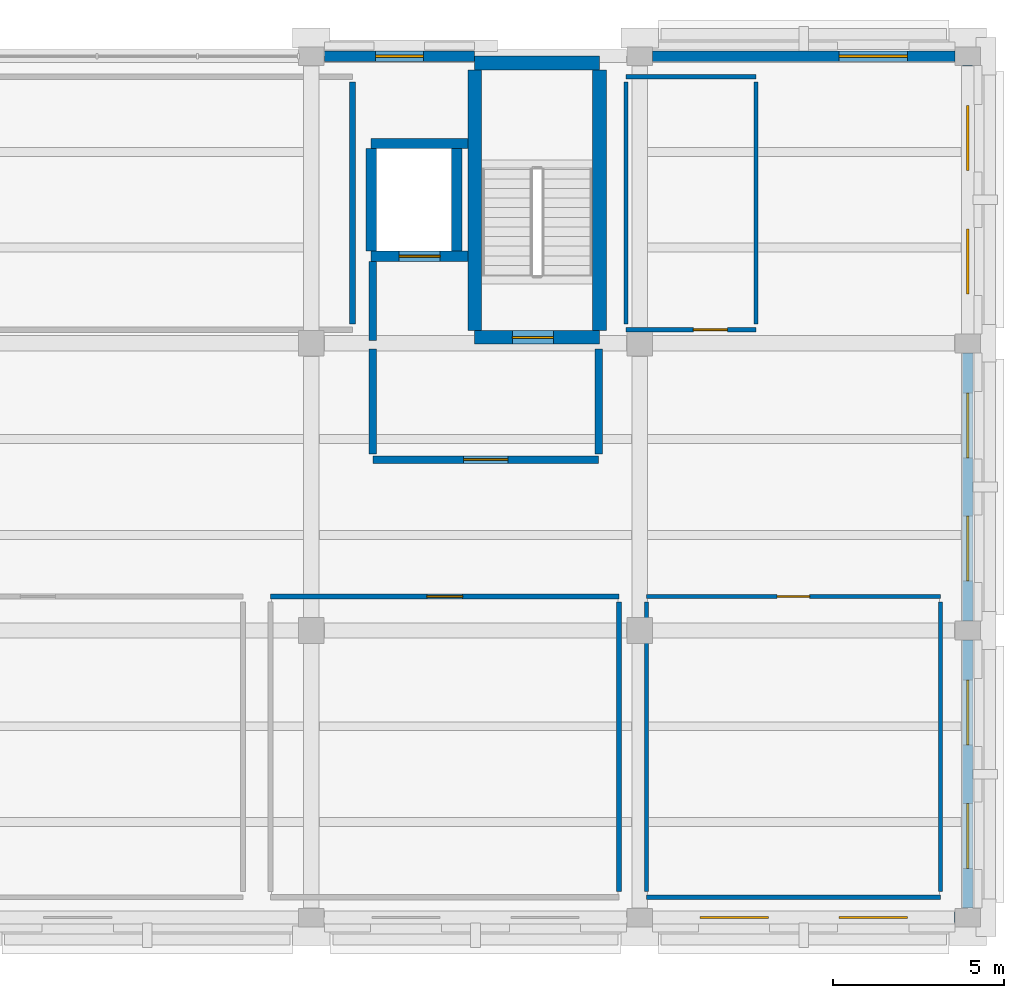
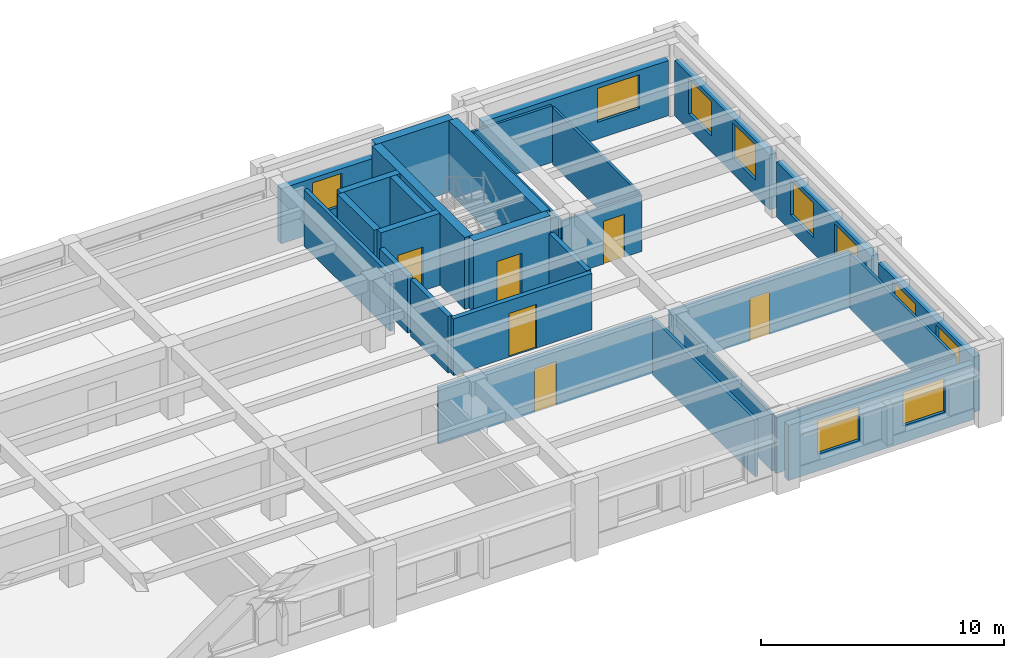
# One storey, part 7 of 11: 29 walls, 10 windows, 6 doors, 16 openings.
"""IFC4 building model written with IfcOpenShell, lengths in metres."""

from ifc_helpers import new_model, si_unit, direction, frame, frame_2d, origin, place, context, subcontext, project, spatial, rectangle, extrude, material, layer, layer_set, type_object, element, fill, save


model = new_model("IFC4")

# Units and contexts
model_context = context("Model", 3, precision=1e-05, world=origin(), true_north=direction((0.0, 1.0)))
body_context = subcontext(model_context, "Body", "Model", "MODEL_VIEW")
ifc_project = project(units=[si_unit("LENGTHUNIT", "METRE"), si_unit("AREAUNIT", "SQUARE_METRE"), si_unit("VOLUMEUNIT", "CUBIC_METRE"), si_unit("PLANEANGLEUNIT", "RADIAN"), si_unit("MASSUNIT", "GRAM", prefix="KILO")], contexts=[model_context])

# Site, building, storey
site_placement = place(None, origin())
site = spatial("IfcSite", under=ifc_project, at=site_placement, CompositionType="ELEMENT")
building_placement = place(site_placement, origin())
building = spatial("IfcBuilding", under=site, at=building_placement, Name="Bempovik Park Faculty of Sciences", CompositionType="ELEMENT")
storey_placement = place(building_placement, frame((0.0, 0.0, 30.60009765625)))
storey = spatial("IfcBuildingStorey", under=building, at=storey_placement, Name="L07", CompositionType="ELEMENT", Elevation=30.60009765625)

# Wall
ifc_material_1 = material(Name="Gypsum acoustic stud assembly")
ifc_layer_1 = layer(ifc_material_1, 0.1201171875)
ifc_layer_set_1 = layer_set([ifc_layer_1], Name="Gypsum acoustic stud assembly")
wall_type_1 = type_object("IfcWallType", Name="W-17 Wall 120mm", PredefinedType="PARTITIONING", material=ifc_layer_set_1)
wall_1_placement = place(storey_placement, frame((108.199951171875, 94.800048828125, 0.0), z_axis=(0.0, 0.0, 1.0), x_axis=(1.0, 0.0, 0.0)))
element("IfcWall", 1, at=wall_1_placement, inside=storey, type_object=wall_type_1, Name="L07 Computational Science Staff Offices Partition South", PredefinedType="PARTITIONING", context=body_context, shape_type="SweptSolid", body=[
    extrude(rectangle(XDim=8.60009765625, YDim=0.1201171875, at=frame_2d((4.300048828125, 0.0))), origin(), (0.0, 0.0, 1.0), 2.849853515625),
])

# Wall, opening, door
wall_2_placement = place(storey_placement, frame((108.199951171875, 103.60009765625, 0.0), z_axis=(0.0, 0.0, 1.0), x_axis=(1.0, 0.0, 0.0)))
wall_2 = element("IfcWall", 2, at=wall_2_placement, inside=storey, type_object=wall_type_1, Name="L07 Computational Science Staff Offices Partition North", PredefinedType="PARTITIONING", context=body_context, shape_type="SweptSolid", body=[
    extrude(rectangle(XDim=8.60009765625, YDim=0.1201171875, at=frame_2d((4.300048828125, 0.0))), origin(), (0.0, 0.0, 1.0), 2.849853515625),
])
opening_1_placement = place(wall_2_placement, frame((3.824951171875, 0.0, 0.0)))
opening_1 = element("IfcOpeningElement", 3, at=opening_1_placement, cuts=wall_2, Name="Opening D-47", PredefinedType="OPENING", context=body_context, shape_type="SweptSolid", body=[
    extrude(rectangle(XDim=0.949951171875, YDim=2.14990234375, at=frame_2d((0.47509765625, 1.074951171875))), frame((0.0, 0.070068359375, 0.0), z_axis=(0.0, -1.0, 0.0), x_axis=(1.0, 0.0, 0.0)), (0.0, 0.0, 1.0), 0.14013671875),
])
ifc_material_2 = material(Name="West African hardwood finish", Category="wood")
door_type_1 = type_object("IfcDoorType", Name="D-47 Door 950x2150", OperationType="NOTDEFINED", PredefinedType="DOOR", material=ifc_material_2)
door_1_placement = place(opening_1_placement, origin())
door_1 = element("IfcDoor", 4, at=door_1_placement, inside=storey, type_object=door_type_1, Name="L07 Computational Science Staff Offices Door", OperationType="SINGLE_SWING_RIGHT", OverallHeight=2.14990234375, OverallWidth=0.949951171875, PredefinedType="DOOR", context=body_context, shape_type="SweptSolid", body=[
    extrude(rectangle(XDim=0.949951171875, YDim=2.14990234375, at=frame_2d((0.47509765625, 1.074951171875))), frame((0.0, 0.02490234375, 0.0), z_axis=(0.0, -1.0, 0.0), x_axis=(1.0, 0.0, 0.0)), (0.0, 0.0, 1.0), 0.050048828125),
])
fill(opening_1, door_1)

# Walls
for number, where, z_axis, x_axis, name in (
    (5, (108.199951171875, 94.9599609375, 0.0), (0.0, 0.0, 1.0), (0.0, 1.0, 0.0), "L07 Computational Science Staff Offices Partition West"),
    (6, (116.800048828125, 94.9599609375, 0.0), (0.0, 0.0, 1.0), (0.0, 1.0, 0.0), "L07 Computational Science Staff Offices Partition East"),
):
    element("IfcWall", number, at=place(storey_placement, frame(where, z_axis=z_axis, x_axis=x_axis)), inside=storey, type_object=wall_type_1, Name=name, PredefinedType="PARTITIONING", context=body_context, shape_type="SweptSolid", body=[
        extrude(rectangle(XDim=8.47998046875, YDim=0.1201171875, at=frame_2d((4.239990234375, 0.0))), origin(), (0.0, 0.0, 1.0), 2.849853515625),
    ])

# Wall, opening, door
wall_3_placement = place(storey_placement, frame((107.60009765625, 111.39990234375, 0.0), z_axis=(0.0, 0.0, 1.0), x_axis=(1.0, 0.0, 0.0)))
wall_3 = element("IfcWall", 7, at=wall_3_placement, inside=storey, type_object=wall_type_1, Name="L07 L07 Accessible WC Partition South", PredefinedType="PARTITIONING", context=body_context, shape_type="SweptSolid", body=[
    extrude(rectangle(XDim=3.7998046875, YDim=0.1201171875, at=frame_2d((1.89990234375, 0.0))), origin(), (0.0, 0.0, 1.0), 2.849853515625),
])
opening_2_placement = place(wall_3_placement, frame((1.969970703125, 0.0, 0.0)))
opening_2 = element("IfcOpeningElement", 8, at=opening_2_placement, cuts=wall_3, Name="Opening D-50", PredefinedType="OPENING", context=body_context, shape_type="SweptSolid", body=[
    extrude(rectangle(XDim=1.0, YDim=2.14990234375, at=frame_2d((0.5, 1.074951171875))), frame((0.0, 0.070068359375, 0.0), z_axis=(0.0, -1.0, 0.0), x_axis=(1.0, 0.0, 0.0)), (0.0, 0.0, 1.0), 0.14013671875),
])
door_type_2 = type_object("IfcDoorType", Name="D-50 Door 1000x2150", OperationType="NOTDEFINED", PredefinedType="DOOR", material=ifc_material_2)
door_2_placement = place(opening_2_placement, origin())
door_2 = element("IfcDoor", 9, at=door_2_placement, inside=storey, type_object=door_type_2, Name="L07 L07 Accessible WC Door", OperationType="SINGLE_SWING_RIGHT", OverallHeight=2.14990234375, OverallWidth=1.0, PredefinedType="DOOR", context=body_context, shape_type="SweptSolid", body=[
    extrude(rectangle(XDim=1.0, YDim=2.14990234375, at=frame_2d((0.5, 1.074951171875))), frame((0.0, 0.02490234375, 0.0), z_axis=(0.0, -1.0, 0.0), x_axis=(1.0, 0.0, 0.0)), (0.0, 0.0, 1.0), 0.050048828125),
])
fill(opening_2, door_2)

# Walls
wall_4_placement = place(storey_placement, frame((107.60009765625, 118.800048828125, 0.0), z_axis=(0.0, 0.0, 1.0), x_axis=(1.0, 0.0, 0.0)))
element("IfcWall", 10, at=wall_4_placement, inside=storey, type_object=wall_type_1, Name="L07 L07 Accessible WC Partition North", PredefinedType="PARTITIONING", context=body_context, shape_type="SweptSolid", body=[
    extrude(rectangle(XDim=3.7998046875, YDim=0.1201171875, at=frame_2d((1.89990234375, 0.0))), origin(), (0.0, 0.0, 1.0), 2.849853515625),
])
for number, where, z_axis, x_axis, name in (
    (11, (107.60009765625, 111.56005859375, 0.0), (0.0, 0.0, 1.0), (0.0, 1.0, 0.0), "L07 L07 Accessible WC Partition West"),
    (12, (111.39990234375, 111.56005859375, 0.0), (0.0, 0.0, 1.0), (0.0, 1.0, 0.0), "L07 L07 Accessible WC Partition East"),
):
    element("IfcWall", number, at=place(storey_placement, frame(where, z_axis=z_axis, x_axis=x_axis)), inside=storey, type_object=wall_type_1, Name=name, PredefinedType="PARTITIONING", context=body_context, shape_type="SweptSolid", body=[
        extrude(rectangle(XDim=7.079833984375, YDim=0.1201171875, at=frame_2d((3.5400390625, 0.0))), origin(), (0.0, 0.0, 1.0), 2.849853515625),
    ])

# Wall, opening, door
ifc_material_3 = material(Name="Concrete C40/50", Category="concrete")
ifc_layer_2 = layer(ifc_material_3, 0.300048828125)
ifc_layer_set_2 = layer_set([ifc_layer_2], Name="Concrete C40/50")
wall_type_2 = type_object("IfcWallType", Name="W-31 Wall 300mm", PredefinedType="SHEAR", material=ifc_layer_set_2)
wall_5_placement = place(storey_placement, frame((100.14990234375, 113.550048828125, 0.0), z_axis=(0.0, 0.0, 1.0), x_axis=(1.0, 0.0, 0.0)))
wall_5 = element("IfcWall", 13, at=wall_5_placement, inside=storey, type_object=wall_type_2, Name="Lift LF-2 L07 Shaft Wall South", PredefinedType="SHEAR", context=body_context, shape_type="SweptSolid", body=[
    extrude(rectangle(XDim=2.8251953125, YDim=0.300048828125, at=frame_2d((1.41259765625, 0.0))), origin(), (0.0, 0.0, 1.0), 3.619873046875),
])
opening_3_placement = place(wall_5_placement, frame((0.8125, 0.0, 0.0)))
opening_3 = element("IfcOpeningElement", 14, at=opening_3_placement, cuts=wall_5, Name="Opening LD-01", PredefinedType="OPENING", context=body_context, shape_type="SweptSolid", body=[
    extrude(rectangle(XDim=1.199951171875, YDim=2.199951171875, at=frame_2d((0.60009765625, 1.10009765625))), frame((0.0, 0.16015625, 0.0), z_axis=(0.0, -1.0, 0.0), x_axis=(1.0, 0.0, 0.0)), (0.0, 0.0, 1.0), 0.320068359375),
])
ifc_material_4 = material(Name="Painted steel S355", Category="steel")
door_type_3 = type_object("IfcDoorType", Name="LD-01 Door 1200x2200", OperationType="NOTDEFINED", PredefinedType="DOOR", material=ifc_material_4)
door_3_placement = place(opening_3_placement, origin())
door_3 = element("IfcDoor", 15, at=door_3_placement, inside=storey, type_object=door_type_3, Name="Lift LF-2 L07 Sliding Landing Door", OperationType="SLIDING_TO_LEFT", OverallHeight=2.199951171875, OverallWidth=1.199951171875, PredefinedType="DOOR", context=body_context, shape_type="SweptSolid", body=[
    extrude(rectangle(XDim=1.199951171875, YDim=2.199951171875, at=frame_2d((0.60009765625, 1.10009765625))), frame((0.0, 0.02490234375, 0.0), z_axis=(0.0, -1.0, 0.0), x_axis=(1.0, 0.0, 0.0)), (0.0, 0.0, 1.0), 0.050048828125),
])
fill(opening_3, door_3)

# Walls
wall_6_placement = place(storey_placement, frame((100.14990234375, 116.85009765625, 0.0), z_axis=(0.0, 0.0, 1.0), x_axis=(1.0, 0.0, 0.0)))
element("IfcWall", 16, at=wall_6_placement, inside=storey, type_object=wall_type_2, Name="Lift LF-2 L07 Shaft Wall North", PredefinedType="SHEAR", context=body_context, shape_type="SweptSolid", body=[
    extrude(rectangle(XDim=2.8251953125, YDim=0.300048828125, at=frame_2d((1.41259765625, 0.0))), origin(), (0.0, 0.0, 1.0), 3.619873046875),
])
for number, where, z_axis, x_axis, name in (
    (17, (100.14990234375, 113.699951171875, 0.0), (0.0, 0.0, 1.0), (0.0, 1.0, 0.0), "Lift LF-2 L07 Shaft Wall West"),
    (18, (102.64990234375, 113.699951171875, 0.0), (0.0, 0.0, 1.0), (0.0, 1.0, 0.0), "Lift LF-2 L07 Shaft Wall East"),
):
    element("IfcWall", number, at=place(storey_placement, frame(where, z_axis=z_axis, x_axis=x_axis)), inside=storey, type_object=wall_type_2, Name=name, PredefinedType="SHEAR", context=body_context, shape_type="SweptSolid", body=[
        extrude(rectangle(XDim=3.0, YDim=0.300048828125, at=frame_2d((1.5, 0.0))), origin(), (0.0, 0.0, 1.0), 3.619873046875),
    ])

# Wall, opening, door
ifc_material_5 = material(Name="Concrete C35/45", Category="concrete")
ifc_layer_3 = layer(ifc_material_5, 0.219970703125)
ifc_layer_set_3 = layer_set([ifc_layer_3], Name="Concrete C35/45")
wall_type_3 = type_object("IfcWallType", Name="W-38 Wall 220mm", PredefinedType="PARTITIONING", material=ifc_layer_set_3)
wall_7_placement = place(storey_placement, frame((100.199951171875, 107.60009765625, 0.0), z_axis=(0.0, 0.0, 1.0), x_axis=(1.0, 0.0, 0.0)))
wall_7 = element("IfcWall", 19, at=wall_7_placement, inside=storey, type_object=wall_type_3, Name="L07 Firefighting Lift Lobby East Partition South", PredefinedType="PARTITIONING", context=body_context, shape_type="SweptSolid", body=[
    extrude(rectangle(XDim=6.60009765625, YDim=0.219970703125, at=frame_2d((3.300048828125, 0.0))), origin(), (0.0, 0.0, 1.0), 2.849853515625),
])
opening_4_placement = place(wall_7_placement, frame((2.64990234375, 0.0, 0.0)))
opening_4 = element("IfcOpeningElement", 20, at=opening_4_placement, cuts=wall_7, Name="Opening D-38", PredefinedType="OPENING", context=body_context, shape_type="SweptSolid", body=[
    extrude(rectangle(XDim=1.300048828125, YDim=2.199951171875, at=frame_2d((0.64990234375, 1.10009765625))), frame((0.0, 0.1201171875, 0.0), z_axis=(0.0, -1.0, 0.0), x_axis=(1.0, 0.0, 0.0)), (0.0, 0.0, 1.0), 0.239990234375),
])
door_type_4 = type_object("IfcDoorType", Name="D-38 Door 1300x2200", OperationType="NOTDEFINED", PredefinedType="DOOR", material=ifc_material_4)
door_4_placement = place(opening_4_placement, origin())
door_4 = element("IfcDoor", 21, at=door_4_placement, inside=storey, type_object=door_type_4, Name="L07 Firefighting Lift Lobby East Door", OperationType="SINGLE_SWING_LEFT", OverallHeight=2.199951171875, OverallWidth=1.300048828125, PredefinedType="DOOR", context=body_context, shape_type="SweptSolid", body=[
    extrude(rectangle(XDim=1.300048828125, YDim=2.199951171875, at=frame_2d((0.64990234375, 1.10009765625))), frame((0.0, 0.02490234375, 0.0), z_axis=(0.0, -1.0, 0.0), x_axis=(1.0, 0.0, 0.0)), (0.0, 0.0, 1.0), 0.050048828125),
])
fill(opening_4, door_4)

# Walls
wall_8_placement = place(storey_placement, frame((100.199951171875, 111.080078125, 0.0), z_axis=(0.0, 0.0, 1.0), x_axis=(0.0, 1.0, 0.0)))
element("IfcWall", 22, at=wall_8_placement, inside=storey, type_object=wall_type_3, Name="L07 Firefighting Lobby East Lift Link Wall", PredefinedType="PARTITIONING", context=body_context, shape_type="SweptSolid", body=[
    extrude(rectangle(XDim=2.31982421875, YDim=0.219970703125, at=frame_2d((1.159912109375, 0.0))), origin(), (0.0, 0.0, 1.0), 2.849853515625),
])
for number, where, z_axis, x_axis, name in (
    (23, (100.199951171875, 107.760009765625, 0.0), (0.0, 0.0, 1.0), (0.0, 1.0, 0.0), "L07 Firefighting Lift Lobby East Partition West"),
    (24, (106.800048828125, 107.760009765625, 0.0), (0.0, 0.0, 1.0), (0.0, 1.0, 0.0), "L07 Firefighting Lift Lobby East Partition East"),
):
    element("IfcWall", number, at=place(storey_placement, frame(where, z_axis=z_axis, x_axis=x_axis)), inside=storey, type_object=wall_type_3, Name=name, PredefinedType="PARTITIONING", context=body_context, shape_type="SweptSolid", body=[
        extrude(rectangle(XDim=3.080078125, YDim=0.219970703125, at=frame_2d((1.5400390625, 0.0))), origin(), (0.0, 0.0, 1.0), 2.849853515625),
    ])

# Wall, opening, door
ifc_layer_4 = layer(ifc_material_1, 0.14990234375)
ifc_layer_set_4 = layer_set([ifc_layer_4], Name="Gypsum acoustic stud assembly")
wall_type_4 = type_object("IfcWallType", Name="W-42 Wall 150mm", PredefinedType="PARTITIONING", material=ifc_layer_set_4)
wall_9_placement = place(storey_placement, frame((97.199951171875, 103.60009765625, 0.0), z_axis=(0.0, 0.0, 1.0), x_axis=(1.0, 0.0, 0.0)))
wall_9 = element("IfcWall", 25, at=wall_9_placement, inside=storey, type_object=wall_type_4, Name="L07 Applied Mathematics Colloquium Room Partition North", PredefinedType="PARTITIONING", context=body_context, shape_type="SweptSolid", body=[
    extrude(rectangle(XDim=10.199951171875, YDim=0.14990234375, at=frame_2d((5.10009765625, 0.0))), origin(), (0.0, 0.0, 1.0), 2.849853515625),
])
opening_5_placement = place(wall_9_placement, frame((4.574951171875, 0.0, 0.0)))
opening_5 = element("IfcOpeningElement", 26, at=opening_5_placement, cuts=wall_9, Name="Opening D-16", PredefinedType="OPENING", context=body_context, shape_type="SweptSolid", body=[
    extrude(rectangle(XDim=1.050048828125, YDim=2.199951171875, at=frame_2d((0.52490234375, 1.10009765625))), frame((0.0, 0.0849609375, 0.0), z_axis=(0.0, -1.0, 0.0), x_axis=(1.0, 0.0, 0.0)), (0.0, 0.0, 1.0), 0.169921875),
])
door_type_5 = type_object("IfcDoorType", Name="D-16 Door 1050x2200", OperationType="NOTDEFINED", PredefinedType="DOOR", material=ifc_material_2)
door_5_placement = place(opening_5_placement, origin())
door_5 = element("IfcDoor", 27, at=door_5_placement, inside=storey, type_object=door_type_5, Name="L07 Applied Mathematics Colloquium Room Door", OperationType="SINGLE_SWING_LEFT", OverallHeight=2.199951171875, OverallWidth=1.050048828125, PredefinedType="DOOR", context=body_context, shape_type="SweptSolid", body=[
    extrude(rectangle(XDim=1.050048828125, YDim=2.199951171875, at=frame_2d((0.52490234375, 1.10009765625))), frame((0.0, 0.02490234375, 0.0), z_axis=(0.0, -1.0, 0.0), x_axis=(1.0, 0.0, 0.0)), (0.0, 0.0, 1.0), 0.050048828125),
])
fill(opening_5, door_5)

# Wall
wall_10_placement = place(storey_placement, frame((107.39990234375, 94.9599609375, 0.0), z_axis=(0.0, 0.0, 1.0), x_axis=(0.0, 1.0, 0.0)))
element("IfcWall", 28, at=wall_10_placement, inside=storey, type_object=wall_type_4, Name="L07 Applied Mathematics Colloquium Room Partition East", PredefinedType="PARTITIONING", context=body_context, shape_type="SweptSolid", body=[
    extrude(rectangle(XDim=8.47998046875, YDim=0.14990234375, at=frame_2d((4.239990234375, 0.0))), origin(), (0.0, 0.0, 1.0), 2.849853515625),
])

# Wall, opening, door
ifc_layer_5 = layer(ifc_material_3, 0.39990234375)
ifc_layer_set_5 = layer_set([ifc_layer_5], Name="Concrete C40/50")
wall_type_5 = type_object("IfcWallType", Name="W-47 Wall 400mm", PredefinedType="SHEAR", material=ifc_layer_set_5)
wall_11_placement = place(storey_placement, frame((103.175048828125, 111.175048828125, 0.0), z_axis=(0.0, 0.0, 1.0), x_axis=(1.0, 0.0, 0.0)))
wall_11 = element("IfcWall", 29, at=wall_11_placement, inside=storey, type_object=wall_type_5, Name="ST-2 L07 Core Shear Wall South", PredefinedType="SHEAR", context=body_context, shape_type="SweptSolid", body=[
    extrude(rectangle(XDim=3.64990234375, YDim=0.39990234375, at=frame_2d((1.824951171875, 0.0))), origin(), (0.0, 0.0, 1.0), 3.619873046875),
])
opening_6_placement = place(wall_11_placement, frame((1.10009765625, 0.0, 0.0)))
opening_6 = element("IfcOpeningElement", 30, at=opening_6_placement, cuts=wall_11, Name="Opening D-49", PredefinedType="OPENING", context=body_context, shape_type="SweptSolid", body=[
    extrude(rectangle(XDim=1.199951171875, YDim=2.199951171875, at=frame_2d((0.60009765625, 1.10009765625))), frame((0.0, 0.2099609375, 0.0), z_axis=(0.0, -1.0, 0.0), x_axis=(1.0, 0.0, 0.0)), (0.0, 0.0, 1.0), 0.419921875),
])
door_type_6 = type_object("IfcDoorType", Name="D-49 Door 1200x2200", OperationType="NOTDEFINED", PredefinedType="DOOR", material=ifc_material_4)
door_6_placement = place(opening_6_placement, origin())
door_6 = element("IfcDoor", 31, at=door_6_placement, inside=storey, type_object=door_type_6, Name="ST-2 L07 Protected Stair Smoke Door", OperationType="SINGLE_SWING_LEFT", OverallHeight=2.199951171875, OverallWidth=1.199951171875, PredefinedType="DOOR", context=body_context, shape_type="SweptSolid", body=[
    extrude(rectangle(XDim=1.199951171875, YDim=2.199951171875, at=frame_2d((0.60009765625, 1.10009765625))), frame((0.0, 0.02490234375, 0.0), z_axis=(0.0, -1.0, 0.0), x_axis=(1.0, 0.0, 0.0)), (0.0, 0.0, 1.0), 0.050048828125),
])
fill(opening_6, door_6)

# Walls
for number, where, z_axis, x_axis, name in (
    (32, (103.175048828125, 111.375, 0.0), (0.0, 0.0, 1.0), (0.0, 1.0, 0.0), "ST-2 L07 Core Shear Wall West"),
    (33, (106.824951171875, 111.375, 0.0), (0.0, 0.0, 1.0), (0.0, 1.0, 0.0), "ST-2 L07 Core Shear Wall East"),
):
    element("IfcWall", number, at=place(storey_placement, frame(where, z_axis=z_axis, x_axis=x_axis)), inside=storey, type_object=wall_type_5, Name=name, PredefinedType="SHEAR", context=body_context, shape_type="SweptSolid", body=[
        extrude(rectangle(XDim=7.625, YDim=0.39990234375, at=frame_2d((3.8125, 0.0))), origin(), (0.0, 0.0, 1.0), 3.619873046875),
    ])
wall_12_placement = place(storey_placement, frame((103.175048828125, 119.199951171875, 0.0), z_axis=(0.0, 0.0, 1.0), x_axis=(1.0, 0.0, 0.0)))
element("IfcWall", 34, at=wall_12_placement, inside=storey, type_object=wall_type_5, Name="ST-2 L07 Core Shear Wall North", PredefinedType="SHEAR", context=body_context, shape_type="SweptSolid", body=[
    extrude(rectangle(XDim=3.64990234375, YDim=0.39990234375, at=frame_2d((1.824951171875, 0.0))), origin(), (0.0, 0.0, 1.0), 3.619873046875),
])
ifc_layer_6 = layer(ifc_material_5, 0.169921875)
ifc_layer_set_6 = layer_set([ifc_layer_6], Name="Concrete C35/45")
wall_type_6 = type_object("IfcWallType", Name="W-50 Wall 170mm", PredefinedType="PARTITIONING", material=ifc_layer_set_6)
wall_13_placement = place(storey_placement, frame((99.60009765625, 111.56005859375, 0.0), z_axis=(0.0, 0.0, 1.0), x_axis=(0.0, 1.0, 0.0)))
element("IfcWall", 35, at=wall_13_placement, inside=storey, type_object=wall_type_6, Name="L07 High-Performance Server and Data Archive Partition East", PredefinedType="PARTITIONING", context=body_context, shape_type="SweptSolid", body=[
    extrude(rectangle(XDim=7.079833984375, YDim=0.169921875, at=frame_2d((3.5400390625, 0.0))), origin(), (0.0, 0.0, 1.0), 2.849853515625),
])

# Wall, openings, windows
ifc_material_6 = material(Name="Precast concrete C40/50", Category="concrete")
ifc_layer_7 = layer(ifc_material_6, 0.320068359375)
ifc_layer_set_7 = layer_set([ifc_layer_7], Name="Precast concrete C40/50")
wall_type_7 = type_object("IfcWallType", Name="W-56 Wall 320mm", PredefinedType="SOLIDWALL", material=ifc_layer_set_7)
wall_14_placement = place(storey_placement, frame((117.60009765625, 94.47705078125, 0.0), z_axis=(0.0, 0.0, 1.0), x_axis=(0.0, 1.0, 0.0)))
wall_14 = element("IfcWall", 36, at=wall_14_placement, inside=storey, type_object=wall_type_7, Name="L07 Classical Precast Facade Wall EW-L07-10555", PredefinedType="SOLIDWALL", context=body_context, shape_type="SweptSolid", body=[
    extrude(rectangle(XDim=7.845947265625, YDim=0.320068359375, at=frame_2d((3.9228515625, 0.0))), origin(), (0.0, 0.0, 1.0), 2.77978515625),
])
opening_7_placement = place(wall_14_placement, frame((1.16845703125, 0.0, 0.800048828125)))
opening_7 = element("IfcOpeningElement", 37, at=opening_7_placement, cuts=wall_14, Name="Opening WN-77", PredefinedType="OPENING", context=body_context, shape_type="SweptSolid", body=[
    extrude(rectangle(XDim=1.89990234375, YDim=1.75, at=frame_2d((0.949951171875, 0.875))), frame((0.0, 0.169921875, 0.0), z_axis=(0.0, -1.0, 0.0), x_axis=(1.0, 0.0, 0.0)), (0.0, 0.0, 1.0), 0.340087890625),
])
opening_8_placement = place(wall_14_placement, frame((4.777587890625, 0.0, 0.800048828125)))
opening_8 = element("IfcOpeningElement", 38, at=opening_8_placement, cuts=wall_14, Name="Opening WN-77", PredefinedType="OPENING", context=body_context, shape_type="SweptSolid", body=[
    extrude(rectangle(XDim=1.89990234375, YDim=1.75, at=frame_2d((0.949951171875, 0.875))), frame((0.0, 0.169921875, 0.0), z_axis=(0.0, -1.0, 0.0), x_axis=(1.0, 0.0, 0.0)), (0.0, 0.0, 1.0), 0.340087890625),
])
ifc_material_7 = material(Name="Tempered laminated low-E glass", Category="glass")
window_type_1 = type_object("IfcWindowType", Name="WN-77 Window 1900x1750", PartitioningType="SINGLE_PANEL", PredefinedType="WINDOW", material=ifc_material_7)
window_1_placement = place(opening_7_placement, origin())
window_1 = element("IfcWindow", 39, at=window_1_placement, inside=storey, type_object=window_type_1, Name="L07 Window EW-L07-10555-1", OverallHeight=1.75, OverallWidth=1.89990234375, PartitioningType="SINGLE_PANEL", PredefinedType="WINDOW", context=body_context, shape_type="SweptSolid", body=[
    extrude(rectangle(XDim=1.89990234375, YDim=1.75, at=frame_2d((0.949951171875, 0.875))), frame((0.0, 0.030029296875, 0.0), z_axis=(0.0, -1.0, 0.0), x_axis=(1.0, 0.0, 0.0)), (0.0, 0.0, 1.0), 0.06005859375),
])
fill(opening_7, window_1)
window_2_placement = place(opening_8_placement, origin())
window_2 = element("IfcWindow", 40, at=window_2_placement, inside=storey, type_object=window_type_1, Name="L07 Window EW-L07-10555-2", OverallHeight=1.75, OverallWidth=1.89990234375, PartitioningType="SINGLE_PANEL", PredefinedType="WINDOW", context=body_context, shape_type="SweptSolid", body=[
    extrude(rectangle(XDim=1.89990234375, YDim=1.75, at=frame_2d((0.949951171875, 0.875))), frame((0.0, 0.030029296875, 0.0), z_axis=(0.0, -1.0, 0.0), x_axis=(1.0, 0.0, 0.0)), (0.0, 0.0, 1.0), 0.06005859375),
])
fill(opening_8, window_2)

wall_15_placement = place(storey_placement, frame((117.60009765625, 102.876953125, 0.0), z_axis=(0.0, 0.0, 1.0), x_axis=(0.0, 1.0, 0.0)))
wall_15 = element("IfcWall", 41, at=wall_15_placement, inside=storey, type_object=wall_type_7, Name="L07 Classical Precast Facade Wall EW-L07-10568", PredefinedType="SOLIDWALL", context=body_context, shape_type="SweptSolid", body=[
    extrude(rectangle(XDim=7.845947265625, YDim=0.320068359375, at=frame_2d((3.9228515625, 0.0))), origin(), (0.0, 0.0, 1.0), 2.77978515625),
])
opening_9_placement = place(wall_15_placement, frame((1.16845703125, 0.0, 0.800048828125)))
opening_9 = element("IfcOpeningElement", 42, at=opening_9_placement, cuts=wall_15, Name="Opening WN-77", PredefinedType="OPENING", context=body_context, shape_type="SweptSolid", body=[
    extrude(rectangle(XDim=1.89990234375, YDim=1.75, at=frame_2d((0.949951171875, 0.875))), frame((0.0, 0.169921875, 0.0), z_axis=(0.0, -1.0, 0.0), x_axis=(1.0, 0.0, 0.0)), (0.0, 0.0, 1.0), 0.340087890625),
])
opening_10_placement = place(wall_15_placement, frame((4.777587890625, 0.0, 0.800048828125)))
opening_10 = element("IfcOpeningElement", 43, at=opening_10_placement, cuts=wall_15, Name="Opening WN-77", PredefinedType="OPENING", context=body_context, shape_type="SweptSolid", body=[
    extrude(rectangle(XDim=1.89990234375, YDim=1.75, at=frame_2d((0.949951171875, 0.875))), frame((0.0, 0.169921875, 0.0), z_axis=(0.0, -1.0, 0.0), x_axis=(1.0, 0.0, 0.0)), (0.0, 0.0, 1.0), 0.340087890625),
])
window_3_placement = place(opening_9_placement, origin())
window_3 = element("IfcWindow", 44, at=window_3_placement, inside=storey, type_object=window_type_1, Name="L07 Window EW-L07-10568-1", OverallHeight=1.75, OverallWidth=1.89990234375, PartitioningType="SINGLE_PANEL", PredefinedType="WINDOW", context=body_context, shape_type="SweptSolid", body=[
    extrude(rectangle(XDim=1.89990234375, YDim=1.75, at=frame_2d((0.949951171875, 0.875))), frame((0.0, 0.030029296875, 0.0), z_axis=(0.0, -1.0, 0.0), x_axis=(1.0, 0.0, 0.0)), (0.0, 0.0, 1.0), 0.06005859375),
])
fill(opening_9, window_3)
window_4_placement = place(opening_10_placement, origin())
window_4 = element("IfcWindow", 45, at=window_4_placement, inside=storey, type_object=window_type_1, Name="L07 Window EW-L07-10568-2", OverallHeight=1.75, OverallWidth=1.89990234375, PartitioningType="SINGLE_PANEL", PredefinedType="WINDOW", context=body_context, shape_type="SweptSolid", body=[
    extrude(rectangle(XDim=1.89990234375, YDim=1.75, at=frame_2d((0.949951171875, 0.875))), frame((0.0, 0.030029296875, 0.0), z_axis=(0.0, -1.0, 0.0), x_axis=(1.0, 0.0, 0.0)), (0.0, 0.0, 1.0), 0.06005859375),
])
fill(opening_10, window_4)

wall_16_placement = place(storey_placement, frame((117.60009765625, 111.277099609375, 0.0), z_axis=(0.0, 0.0, 1.0), x_axis=(0.0, 1.0, 0.0)))
wall_16 = element("IfcWall", 46, at=wall_16_placement, inside=storey, type_object=wall_type_7, Name="L07 Classical Precast Facade Wall EW-L07-10580", PredefinedType="SOLIDWALL", context=body_context, shape_type="SweptSolid", body=[
    extrude(rectangle(XDim=7.845947265625, YDim=0.320068359375, at=frame_2d((3.9228515625, 0.0))), origin(), (0.0, 0.0, 1.0), 2.77978515625),
])
opening_11_placement = place(wall_16_placement, frame((1.16845703125, 0.0, 0.800048828125)))
opening_11 = element("IfcOpeningElement", 47, at=opening_11_placement, cuts=wall_16, Name="Opening WN-77", PredefinedType="OPENING", context=body_context, shape_type="SweptSolid", body=[
    extrude(rectangle(XDim=1.89990234375, YDim=1.75, at=frame_2d((0.949951171875, 0.875))), frame((0.0, 0.169921875, 0.0), z_axis=(0.0, -1.0, 0.0), x_axis=(1.0, 0.0, 0.0)), (0.0, 0.0, 1.0), 0.340087890625),
])
opening_12_placement = place(wall_16_placement, frame((4.777587890625, 0.0, 0.800048828125)))
opening_12 = element("IfcOpeningElement", 48, at=opening_12_placement, cuts=wall_16, Name="Opening WN-77", PredefinedType="OPENING", context=body_context, shape_type="SweptSolid", body=[
    extrude(rectangle(XDim=1.89990234375, YDim=1.75, at=frame_2d((0.949951171875, 0.875))), frame((0.0, 0.169921875, 0.0), z_axis=(0.0, -1.0, 0.0), x_axis=(1.0, 0.0, 0.0)), (0.0, 0.0, 1.0), 0.340087890625),
])
window_5_placement = place(opening_11_placement, origin())
window_5 = element("IfcWindow", 49, at=window_5_placement, inside=storey, type_object=window_type_1, Name="L07 Window EW-L07-10580-1", OverallHeight=1.75, OverallWidth=1.89990234375, PartitioningType="SINGLE_PANEL", PredefinedType="WINDOW", context=body_context, shape_type="SweptSolid", body=[
    extrude(rectangle(XDim=1.89990234375, YDim=1.75, at=frame_2d((0.949951171875, 0.875))), frame((0.0, 0.030029296875, 0.0), z_axis=(0.0, -1.0, 0.0), x_axis=(1.0, 0.0, 0.0)), (0.0, 0.0, 1.0), 0.06005859375),
])
fill(opening_11, window_5)
window_6_placement = place(opening_12_placement, origin())
window_6 = element("IfcWindow", 50, at=window_6_placement, inside=storey, type_object=window_type_1, Name="L07 Window EW-L07-10580-2", OverallHeight=1.75, OverallWidth=1.89990234375, PartitioningType="SINGLE_PANEL", PredefinedType="WINDOW", context=body_context, shape_type="SweptSolid", body=[
    extrude(rectangle(XDim=1.89990234375, YDim=1.75, at=frame_2d((0.949951171875, 0.875))), frame((0.0, 0.030029296875, 0.0), z_axis=(0.0, -1.0, 0.0), x_axis=(1.0, 0.0, 0.0)), (0.0, 0.0, 1.0), 0.06005859375),
])
fill(opening_12, window_6)

# Wall, opening, window
wall_17_placement = place(storey_placement, frame((98.777099609375, 119.39990234375, 0.0), z_axis=(0.0, 0.0, 1.0), x_axis=(1.0, 0.0, 0.0)))
wall_17 = element("IfcWall", 51, at=wall_17_placement, inside=storey, type_object=wall_type_7, Name="L07 Classical Precast Facade Wall EW-L07-10647", PredefinedType="SOLIDWALL", context=body_context, shape_type="SweptSolid", body=[
    extrude(rectangle(XDim=4.39697265625, YDim=0.320068359375, at=frame_2d((2.198486328125, 0.0))), origin(), (0.0, 0.0, 1.0), 2.77978515625),
])
opening_13_placement = place(wall_17_placement, frame((1.49853515625, 0.0, 0.89990234375)))
opening_13 = element("IfcOpeningElement", 52, at=opening_13_placement, cuts=wall_17, Name="Opening WN-84", PredefinedType="OPENING", context=body_context, shape_type="SweptSolid", body=[
    extrude(rectangle(XDim=1.39990234375, YDim=1.64990234375, at=frame_2d((0.699951171875, 0.824951171875))), frame((0.0, 0.169921875, 0.0), z_axis=(0.0, -1.0, 0.0), x_axis=(1.0, 0.0, 0.0)), (0.0, 0.0, 1.0), 0.340087890625),
])
window_type_2 = type_object("IfcWindowType", Name="WN-84 Window 1400x1650", PartitioningType="SINGLE_PANEL", PredefinedType="WINDOW", material=ifc_material_7)
window_7_placement = place(opening_13_placement, origin())
window_7 = element("IfcWindow", 53, at=window_7_placement, inside=storey, type_object=window_type_2, Name="L07 Stairwell Classical Lancet Window EW-L07-10647", OverallHeight=1.64990234375, OverallWidth=1.39990234375, PartitioningType="SINGLE_PANEL", PredefinedType="WINDOW", context=body_context, shape_type="SweptSolid", body=[
    extrude(rectangle(XDim=1.39990234375, YDim=1.64990234375, at=frame_2d((0.699951171875, 0.824951171875))), frame((0.0, 0.030029296875, 0.0), z_axis=(0.0, -1.0, 0.0), x_axis=(1.0, 0.0, 0.0)), (0.0, 0.0, 1.0), 0.06005859375),
])
fill(opening_13, window_7)

wall_18_placement = place(storey_placement, frame((108.376953125, 119.39990234375, 0.0), z_axis=(0.0, 0.0, 1.0), x_axis=(1.0, 0.0, 0.0)))
wall_18 = element("IfcWall", 54, at=wall_18_placement, inside=storey, type_object=wall_type_7, Name="L07 Classical Precast Facade Wall EW-L07-10654", PredefinedType="SOLIDWALL", context=body_context, shape_type="SweptSolid", body=[
    extrude(rectangle(XDim=8.845947265625, YDim=0.320068359375, at=frame_2d((4.4228515625, 0.0))), origin(), (0.0, 0.0, 1.0), 2.77978515625),
])
opening_14_placement = place(wall_18_placement, frame((5.45751953125, 0.0, 0.85009765625)))
opening_14 = element("IfcOpeningElement", 55, at=opening_14_placement, cuts=wall_18, Name="Opening WN-61", PredefinedType="OPENING", context=body_context, shape_type="SweptSolid", body=[
    extrude(rectangle(XDim=2.0, YDim=1.699951171875, at=frame_2d((1.0, 0.85009765625))), frame((0.0, 0.169921875, 0.0), z_axis=(0.0, -1.0, 0.0), x_axis=(1.0, 0.0, 0.0)), (0.0, 0.0, 1.0), 0.340087890625),
])
window_type_3 = type_object("IfcWindowType", Name="WN-61 Window 2000x1700", PartitioningType="SINGLE_PANEL", PredefinedType="WINDOW", material=ifc_material_7)
window_8_placement = place(opening_14_placement, origin())
window_8 = element("IfcWindow", 56, at=window_8_placement, inside=storey, type_object=window_type_3, Name="L07 Window EW-L07-10654-2", OverallHeight=1.699951171875, OverallWidth=2.0, PartitioningType="SINGLE_PANEL", PredefinedType="WINDOW", context=body_context, shape_type="SweptSolid", body=[
    extrude(rectangle(XDim=2.0, YDim=1.699951171875, at=frame_2d((1.0, 0.85009765625))), frame((0.0, 0.030029296875, 0.0), z_axis=(0.0, -1.0, 0.0), x_axis=(1.0, 0.0, 0.0)), (0.0, 0.0, 1.0), 0.06005859375),
])
fill(opening_14, window_8)

# Wall, openings, windows
wall_19_placement = place(storey_placement, frame((108.376953125, 94.199951171875, 0.0), z_axis=(0.0, 0.0, 1.0), x_axis=(1.0, 0.0, 0.0)))
wall_19 = element("IfcWall", 57, at=wall_19_placement, inside=storey, type_object=wall_type_7, Name="L07 Classical Precast Facade Wall EW-L07-10760", PredefinedType="SOLIDWALL", context=body_context, shape_type="SweptSolid", body=[
    extrude(rectangle(XDim=8.845947265625, YDim=0.320068359375, at=frame_2d((4.4228515625, 0.0))), origin(), (0.0, 0.0, 1.0), 2.77978515625),
])
opening_15_placement = place(wall_19_placement, frame((1.388427734375, 0.0, 0.85009765625)))
opening_15 = element("IfcOpeningElement", 58, at=opening_15_placement, cuts=wall_19, Name="Opening WN-61", PredefinedType="OPENING", context=body_context, shape_type="SweptSolid", body=[
    extrude(rectangle(XDim=2.0, YDim=1.699951171875, at=frame_2d((1.0, 0.85009765625))), frame((0.0, 0.169921875, 0.0), z_axis=(0.0, -1.0, 0.0), x_axis=(1.0, 0.0, 0.0)), (0.0, 0.0, 1.0), 0.340087890625),
])
opening_16_placement = place(wall_19_placement, frame((5.45751953125, 0.0, 0.85009765625)))
opening_16 = element("IfcOpeningElement", 59, at=opening_16_placement, cuts=wall_19, Name="Opening WN-61", PredefinedType="OPENING", context=body_context, shape_type="SweptSolid", body=[
    extrude(rectangle(XDim=2.0, YDim=1.699951171875, at=frame_2d((1.0, 0.85009765625))), frame((0.0, 0.169921875, 0.0), z_axis=(0.0, -1.0, 0.0), x_axis=(1.0, 0.0, 0.0)), (0.0, 0.0, 1.0), 0.340087890625),
])
window_9_placement = place(opening_15_placement, origin())
window_9 = element("IfcWindow", 60, at=window_9_placement, inside=storey, type_object=window_type_3, Name="L07 Window EW-L07-10760-1", OverallHeight=1.699951171875, OverallWidth=2.0, PartitioningType="SINGLE_PANEL", PredefinedType="WINDOW", context=body_context, shape_type="SweptSolid", body=[
    extrude(rectangle(XDim=2.0, YDim=1.699951171875, at=frame_2d((1.0, 0.85009765625))), frame((0.0, 0.030029296875, 0.0), z_axis=(0.0, -1.0, 0.0), x_axis=(1.0, 0.0, 0.0)), (0.0, 0.0, 1.0), 0.06005859375),
])
fill(opening_15, window_9)
window_10_placement = place(opening_16_placement, origin())
window_10 = element("IfcWindow", 61, at=window_10_placement, inside=storey, type_object=window_type_3, Name="L07 Window EW-L07-10760-2", OverallHeight=1.699951171875, OverallWidth=2.0, PartitioningType="SINGLE_PANEL", PredefinedType="WINDOW", context=body_context, shape_type="SweptSolid", body=[
    extrude(rectangle(XDim=2.0, YDim=1.699951171875, at=frame_2d((1.0, 0.85009765625))), frame((0.0, 0.030029296875, 0.0), z_axis=(0.0, -1.0, 0.0), x_axis=(1.0, 0.0, 0.0)), (0.0, 0.0, 1.0), 0.06005859375),
])
fill(opening_16, window_10)

save(model, "model.ifc")
